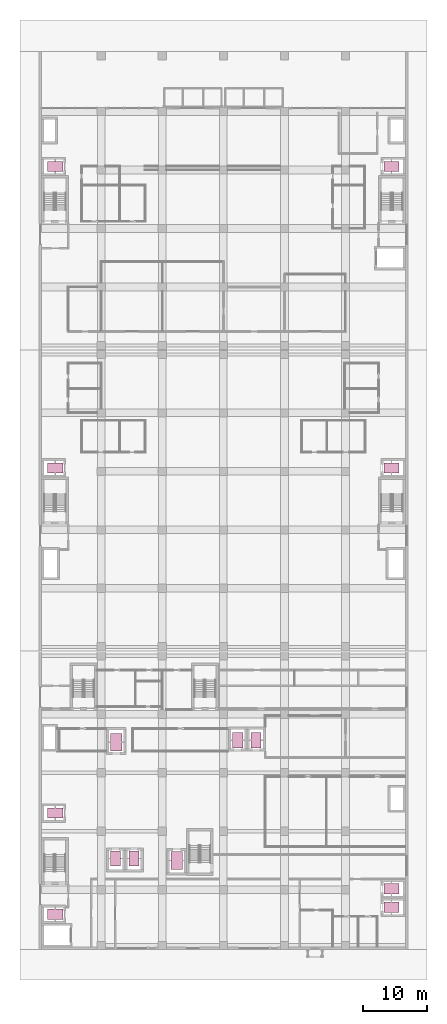
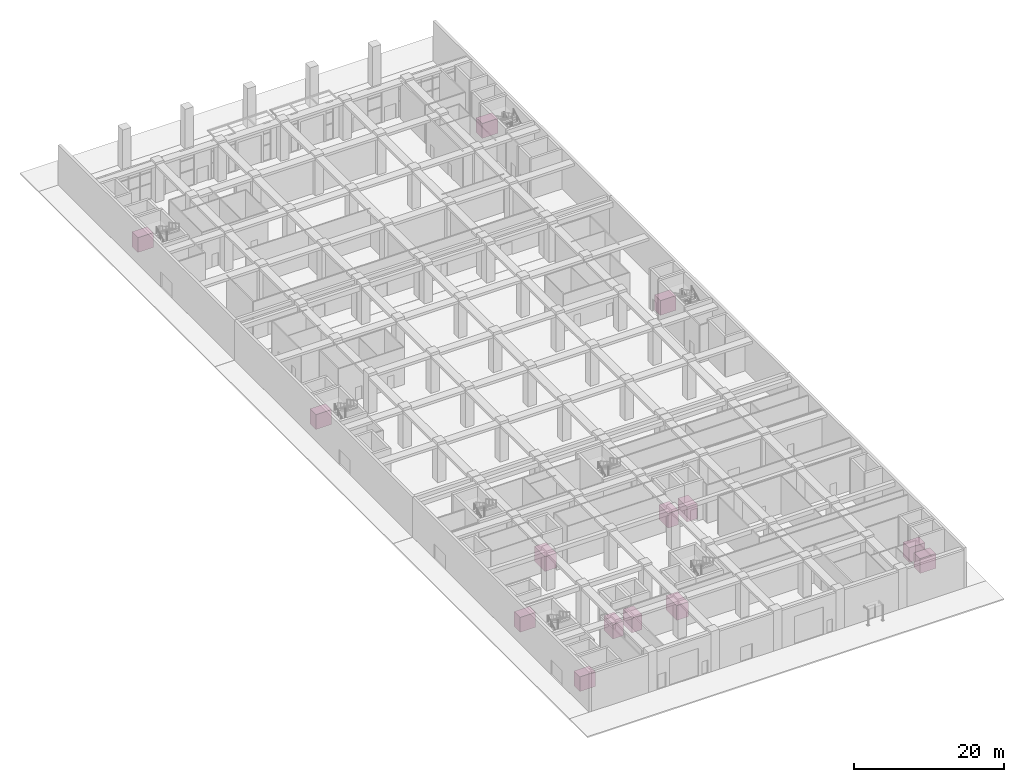
# One storey, part 45 of 45: 14 transport elements.
"""IFC4 building model written with IfcOpenShell, lengths in metres."""

from ifc_helpers import new_model, si_unit, direction, frame, origin, origin_2d, place, context, subcontext, project, spatial, rectangle, extrude, material, type_object, element, save


model = new_model("IFC4")

# Units and contexts
model_context = context("Model", 3, precision=1e-05, world=origin(), true_north=direction((0.0, 1.0)))
body_context = subcontext(model_context, "Body", "Model", "MODEL_VIEW")
ifc_project = project(units=[si_unit("LENGTHUNIT", "METRE"), si_unit("AREAUNIT", "SQUARE_METRE"), si_unit("VOLUMEUNIT", "CUBIC_METRE"), si_unit("PLANEANGLEUNIT", "RADIAN"), si_unit("MASSUNIT", "GRAM", prefix="KILO")], contexts=[model_context])

# Site, building, storey
site_placement = place(None, origin())
site = spatial("IfcSite", under=ifc_project, at=site_placement, CompositionType="ELEMENT")
building_placement = place(site_placement, origin())
building = spatial("IfcBuilding", under=site, at=building_placement, Name="Nzadi Deep Aquarium and Research Tower", CompositionType="ELEMENT")
storey_placement = place(building_placement, origin())
storey = spatial("IfcBuildingStorey", under=building, at=storey_placement, Name="G", CompositionType="ELEMENT", Elevation=0.0)

# Transport elements
ifc_material_1 = material(Name="LIFT CAR FIREFIGHTING 1800x2800")
transport_element_type_1 = type_object("IfcTransportElementType", Name="LIFT CAR FIREFIGHTING 1800x2800", PredefinedType="ELEVATOR", material=ifc_material_1)
for number, where, z_axis, x_axis, name in (
    (1, (21.449951171875, 13.800048828125, 0.0), (0.0, 0.0, 1.0), (1.0, 0.0, 0.0), "Lift FL1"),
    (2, (11.949951171875, 32.39990234375, 0.0), (0.0, 0.0, 1.0), (1.0, 0.0, 0.0), "Lift FL2"),
):
    element("IfcTransportElement", number, at=place(storey_placement, frame(where, z_axis=z_axis, x_axis=x_axis)), inside=storey, type_object=transport_element_type_1, Name=name, PredefinedType="ELEVATOR", context=body_context, shape_type="SweptSolid", body=[
        extrude(rectangle(XDim=1.800048828125, YDim=2.800048828125, at=origin_2d()), origin(), (0.0, 0.0, 1.0), 2.39990234375),
    ])
ifc_material_2 = material(Name="LIFT CAR PAX 1600x2400")
transport_element_type_2 = type_object("IfcTransportElementType", Name="LIFT CAR PAX 1600x2400", PredefinedType="ELEVATOR", material=ifc_material_2)
for number, where, z_axis, x_axis, name in (
    (3, (2.35009765625, 5.35009765625, 0.0), (0.0, 0.0, 1.0), (1.0, 0.0, 0.0), "Lift EL1"),
    (4, (2.35009765625, 21.25, 0.0), (0.0, 0.0, 1.0), (1.0, 0.0, 0.0), "Lift PL1"),
    (5, (55.25, 6.449951171875, 0.0), (0.0, 0.0, 1.0), (1.0, 0.0, 0.0), "Lift EL2"),
    (6, (55.25, 9.35009765625, 0.0), (0.0, 0.0, 1.0), (1.0, 0.0, 0.0), "Lift PL2"),
):
    element("IfcTransportElement", number, at=place(storey_placement, frame(where, z_axis=z_axis, x_axis=x_axis)), inside=storey, type_object=transport_element_type_2, Name=name, PredefinedType="ELEVATOR", context=body_context, shape_type="SweptSolid", body=[
        extrude(rectangle(XDim=2.39990234375, YDim=1.60009765625, at=origin_2d()), origin(), (0.0, 0.0, 1.0), 2.39990234375),
    ])
for number, where, z_axis, x_axis, name in (
    (7, (11.85009765625, 14.10009765625, 0.0), (0.0, 0.0, 1.0), (1.0, 0.0, 0.0), "Lift TL1"),
    (8, (14.75, 14.10009765625, 0.0), (0.0, 0.0, 1.0), (1.0, 0.0, 0.0), "Lift TL2"),
    (9, (31.050048828125, 32.699951171875, 0.0), (0.0, 0.0, 1.0), (1.0, 0.0, 0.0), "Lift TL3"),
    (10, (33.949951171875, 32.699951171875, 0.0), (0.0, 0.0, 1.0), (1.0, 0.0, 0.0), "Lift TL4"),
):
    element("IfcTransportElement", number, at=place(storey_placement, frame(where, z_axis=z_axis, x_axis=x_axis)), inside=storey, type_object=transport_element_type_2, Name=name, PredefinedType="ELEVATOR", context=body_context, shape_type="SweptSolid", body=[
        extrude(rectangle(XDim=1.60009765625, YDim=2.39990234375, at=origin_2d()), origin(), (0.0, 0.0, 1.0), 2.39990234375),
    ])
for number, where, z_axis, x_axis, name in (
    (11, (2.35009765625, 75.550048828125, 0.0), (0.0, 0.0, 1.0), (1.0, 0.0, 0.0), "Lift PL3"),
    (12, (55.25, 75.550048828125, 0.0), (0.0, 0.0, 1.0), (1.0, 0.0, 0.0), "Lift PL4"),
    (13, (2.35009765625, 122.949951171875, 0.0), (0.0, 0.0, 1.0), (1.0, 0.0, 0.0), "Lift PL5"),
    (14, (55.25, 122.949951171875, 0.0), (0.0, 0.0, 1.0), (1.0, 0.0, 0.0), "Lift PL6"),
):
    element("IfcTransportElement", number, at=place(storey_placement, frame(where, z_axis=z_axis, x_axis=x_axis)), inside=storey, type_object=transport_element_type_2, Name=name, PredefinedType="ELEVATOR", context=body_context, shape_type="SweptSolid", body=[
        extrude(rectangle(XDim=2.39990234375, YDim=1.60009765625, at=origin_2d()), origin(), (0.0, 0.0, 1.0), 2.39990234375),
    ])

save(model, "model.ifc")
